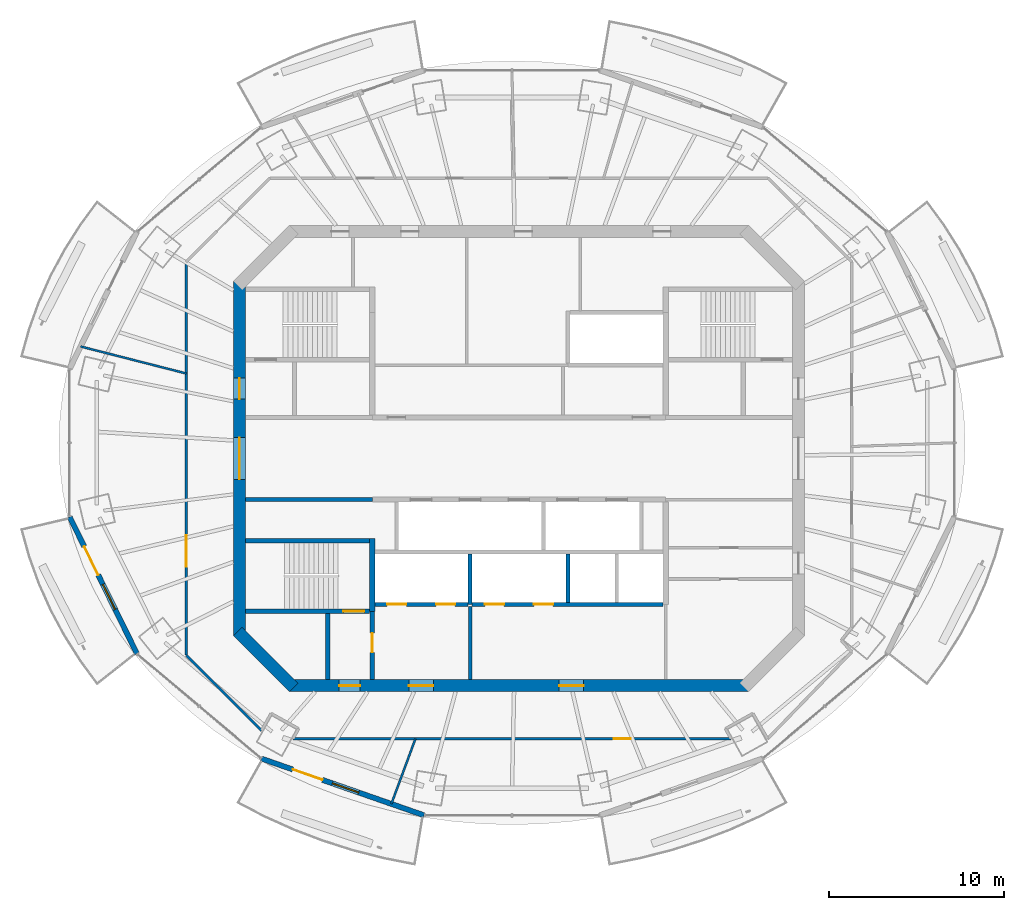
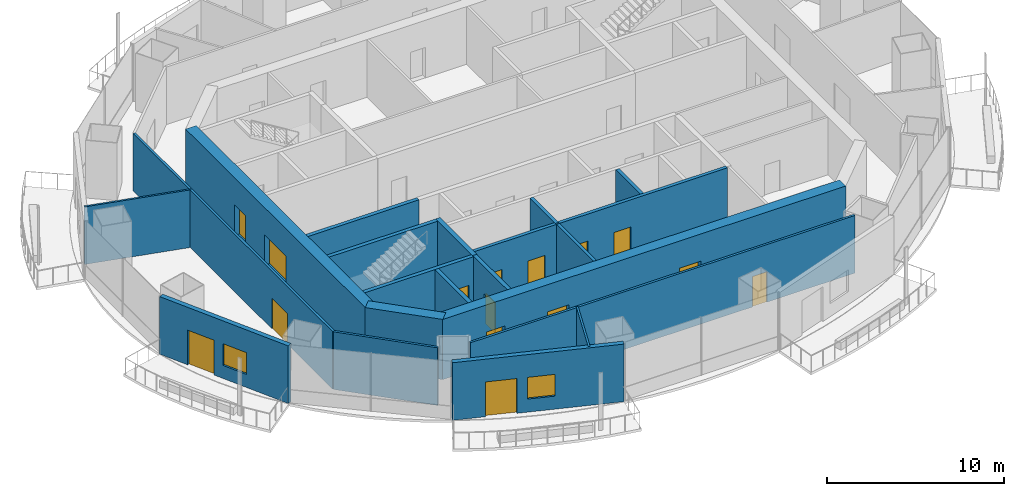
# One storey, part 8 of 16: 21 walls, 15 doors, 2 windows, 17 openings.
"""IFC4 building model written with IfcOpenShell, lengths in metres."""

from ifc_helpers import new_model, si_unit, direction, frame, frame_2d, origin, place, context, subcontext, project, spatial, rectangle, extrude, material, layer, layer_set, type_object, element, fill, save


model = new_model("IFC4")

# Units and contexts
model_context = context("Model", 3, precision=1e-05, world=origin(), true_north=direction((0.0, 1.0)))
body_context = subcontext(model_context, "Body", "Model", "MODEL_VIEW")
ifc_project = project(units=[si_unit("LENGTHUNIT", "METRE"), si_unit("AREAUNIT", "SQUARE_METRE"), si_unit("VOLUMEUNIT", "CUBIC_METRE"), si_unit("PLANEANGLEUNIT", "RADIAN"), si_unit("MASSUNIT", "GRAM", prefix="KILO")], contexts=[model_context])

# Site, building, storey
site_placement = place(None, origin())
site = spatial("IfcSite", under=ifc_project, at=site_placement, CompositionType="ELEMENT")
building_placement = place(site_placement, origin())
building = spatial("IfcBuilding", under=site, at=building_placement, Name="Marenthal Gate Tower", CompositionType="ELEMENT")
storey_placement = place(building_placement, frame((0.0, 0.0, 379.949951171875)))
storey = spatial("IfcBuildingStorey", under=building, at=storey_placement, Name="L86", CompositionType="ELEMENT", Elevation=379.949951171875)

# Wall, openings, doors
ifc_material_1 = material(Name="Concrete 60 MPa", Category="concrete")
ifc_layer_1 = layer(ifc_material_1, 0.699951171875)
ifc_layer_set_1 = layer_set([ifc_layer_1], Name="Core shear wall 700")
wall_type_1 = type_object("IfcWallType", Name="Core shear wall 700", PredefinedType="SHEAR", material=ifc_layer_set_1)
wall_1_placement = place(storey_placement, frame((-16.0, 10.14501953125, -0.179931640625), z_axis=(0.0, 0.0, 1.0), x_axis=(0.0, -1.0, 0.0)))
wall_1 = element("IfcWall", 1, at=wall_1_placement, inside=storey, type_object=wall_type_1, Name="Core wall 06", PredefinedType="SHEAR", context=body_context, shape_type="SweptSolid", body=[
    extrude(rectangle(XDim=20.2900390625, YDim=0.699951171875, at=frame_2d((10.14501953125, 0.0))), origin(), (0.0, 0.0, 1.0), 4.14990234375),
])
opening_1_placement = place(wall_1_placement, frame((8.945068359375, 0.0, 0.179931640625)))
opening_1 = element("IfcOpeningElement", 2, at=opening_1_placement, cuts=wall_1, Name="Opening D003.01", PredefinedType="OPENING", context=body_context, shape_type="SweptSolid", body=[
    extrude(rectangle(XDim=2.39990234375, YDim=2.10009765625, at=frame_2d((1.199951171875, 1.050048828125))), frame((0.0, 0.35986328125, 0.0), z_axis=(0.0, -1.0, 0.0), x_axis=(1.0, 0.0, 0.0)), (0.0, 0.0, 1.0), 0.719970703125),
])
opening_2_placement = place(wall_1_placement, frame((5.544921875, 0.0, 0.179931640625)))
opening_2 = element("IfcOpeningElement", 3, at=opening_2_placement, cuts=wall_1, Name="Opening D001.04", PredefinedType="OPENING", context=body_context, shape_type="SweptSolid", body=[
    extrude(rectangle(XDim=1.199951171875, YDim=2.10009765625, at=frame_2d((0.60009765625, 1.050048828125))), frame((0.0, 0.35986328125, 0.0), z_axis=(0.0, -1.0, 0.0), x_axis=(1.0, 0.0, 0.0)), (0.0, 0.0, 1.0), 0.719970703125),
])
ifc_material_2 = material(Name="Steel fire door", Category="steel")
door_type_1 = type_object("IfcDoorType", Name="Double fire door FD 45 2400 x 2100", OperationType="DOUBLE_DOOR_SINGLE_SWING", PredefinedType="DOOR", material=ifc_material_2)
door_1_placement = place(opening_1_placement, origin())
door_1 = element("IfcDoor", 4, at=door_1_placement, inside=storey, type_object=door_type_1, Name="Door D003.01", OperationType="DOUBLE_DOOR_SINGLE_SWING", OverallHeight=2.10009765625, OverallWidth=2.39990234375, PredefinedType="DOOR", context=body_context, shape_type="SweptSolid", body=[
    extrude(rectangle(XDim=2.39990234375, YDim=2.10009765625, at=frame_2d((1.199951171875, 1.050048828125))), frame((0.0, 0.02490234375, 0.0), z_axis=(0.0, -1.0, 0.0), x_axis=(1.0, 0.0, 0.0)), (0.0, 0.0, 1.0), 0.050048828125),
])
fill(opening_1, door_1)
ifc_material_3 = material(Name="Steel fire door", Category="steel")
door_type_2 = type_object("IfcDoorType", Name="Fire door FD 90 1200 x 2100", OperationType="NOTDEFINED", PredefinedType="DOOR", material=ifc_material_3)
door_2_placement = place(opening_2_placement, origin())
door_2 = element("IfcDoor", 5, at=door_2_placement, inside=storey, type_object=door_type_2, Name="Door D001.04", OperationType="SINGLE_SWING_RIGHT", OverallHeight=2.10009765625, OverallWidth=1.199951171875, PredefinedType="DOOR", context=body_context, shape_type="SweptSolid", body=[
    extrude(rectangle(XDim=1.199951171875, YDim=2.10009765625, at=frame_2d((0.60009765625, 1.050048828125))), frame((0.0, 0.02490234375, 0.0), z_axis=(0.0, -1.0, 0.0), x_axis=(1.0, 0.0, 0.0)), (0.0, 0.0, 1.0), 0.050048828125),
])
fill(opening_2, door_2)

# Wall
wall_2_placement = place(storey_placement, frame((-16.1025390625, -9.8974609375, -0.179931640625), z_axis=(0.0, 0.0, 1.0), x_axis=(0.707106781187, -0.707106781187, 0.0)))
element("IfcWall", 6, at=wall_2_placement, inside=storey, type_object=wall_type_1, Name="Core wall 07", PredefinedType="SHEAR", context=body_context, shape_type="SweptSolid", body=[
    extrude(rectangle(XDim=4.53271484375, YDim=0.699951171875, at=frame_2d((2.266357421875, 0.0))), origin(), (0.0, 0.0, 1.0), 4.14990234375),
])

# Wall, openings, doors
wall_3_placement = place(storey_placement, frame((-13.14501953125, -13.0, -0.179931640625), z_axis=(0.0, 0.0, 1.0), x_axis=(1.0, 0.0, 0.0)))
wall_3 = element("IfcWall", 7, at=wall_3_placement, inside=storey, type_object=wall_type_1, Name="Core wall 08", PredefinedType="SHEAR", context=body_context, shape_type="SweptSolid", body=[
    extrude(rectangle(XDim=26.2900390625, YDim=0.699951171875, at=frame_2d((13.14501953125, 0.0))), origin(), (0.0, 0.0, 1.0), 4.14990234375),
])
opening_3_placement = place(wall_3_placement, frame((2.844970703125, 0.0, 0.179931640625)))
opening_3 = element("IfcOpeningElement", 8, at=opening_3_placement, cuts=wall_3, Name="Opening D001.06", PredefinedType="OPENING", context=body_context, shape_type="SweptSolid", body=[
    extrude(rectangle(XDim=1.199951171875, YDim=2.10009765625, at=frame_2d((0.60009765625, 1.050048828125))), frame((0.0, 0.35986328125, 0.0), z_axis=(0.0, -1.0, 0.0), x_axis=(1.0, 0.0, 0.0)), (0.0, 0.0, 1.0), 0.719970703125),
])
opening_4_placement = place(wall_3_placement, frame((6.844970703125, 0.0, 0.179931640625)))
opening_4 = element("IfcOpeningElement", 9, at=opening_4_placement, cuts=wall_3, Name="Opening D004.01", PredefinedType="OPENING", context=body_context, shape_type="SweptSolid", body=[
    extrude(rectangle(XDim=1.39990234375, YDim=2.10009765625, at=frame_2d((0.699951171875, 1.050048828125))), frame((0.0, 0.35986328125, 0.0), z_axis=(0.0, -1.0, 0.0), x_axis=(1.0, 0.0, 0.0)), (0.0, 0.0, 1.0), 0.719970703125),
])
opening_5_placement = place(wall_3_placement, frame((15.445068359375, 0.0, 0.179931640625)))
opening_5 = element("IfcOpeningElement", 10, at=opening_5_placement, cuts=wall_3, Name="Opening D004.02", PredefinedType="OPENING", context=body_context, shape_type="SweptSolid", body=[
    extrude(rectangle(XDim=1.39990234375, YDim=2.10009765625, at=frame_2d((0.699951171875, 1.050048828125))), frame((0.0, 0.35986328125, 0.0), z_axis=(0.0, -1.0, 0.0), x_axis=(1.0, 0.0, 0.0)), (0.0, 0.0, 1.0), 0.719970703125),
])
ifc_material_4 = material(Name="Steel fire door", Category="steel")
door_type_3 = type_object("IfcDoorType", Name="Fire door FD 45 1400 x 2100", OperationType="NOTDEFINED", PredefinedType="DOOR", material=ifc_material_4)
door_3_placement = place(opening_4_placement, origin())
door_3 = element("IfcDoor", 11, at=door_3_placement, inside=storey, type_object=door_type_3, Name="Door D004.01", OperationType="SINGLE_SWING_RIGHT", OverallHeight=2.10009765625, OverallWidth=1.39990234375, PredefinedType="DOOR", context=body_context, shape_type="SweptSolid", body=[
    extrude(rectangle(XDim=1.39990234375, YDim=2.10009765625, at=frame_2d((0.699951171875, 1.050048828125))), frame((0.0, 0.02490234375, 0.0), z_axis=(0.0, -1.0, 0.0), x_axis=(1.0, 0.0, 0.0)), (0.0, 0.0, 1.0), 0.050048828125),
])
fill(opening_4, door_3)
door_4_placement = place(opening_5_placement, origin())
door_4 = element("IfcDoor", 12, at=door_4_placement, inside=storey, type_object=door_type_3, Name="Door D004.02", OperationType="SINGLE_SWING_RIGHT", OverallHeight=2.10009765625, OverallWidth=1.39990234375, PredefinedType="DOOR", context=body_context, shape_type="SweptSolid", body=[
    extrude(rectangle(XDim=1.39990234375, YDim=2.10009765625, at=frame_2d((0.699951171875, 1.050048828125))), frame((0.0, 0.02490234375, 0.0), z_axis=(0.0, -1.0, 0.0), x_axis=(1.0, 0.0, 0.0)), (0.0, 0.0, 1.0), 0.050048828125),
])
fill(opening_5, door_4)
door_5_placement = place(opening_3_placement, origin())
door_5 = element("IfcDoor", 13, at=door_5_placement, inside=storey, type_object=door_type_2, Name="Door D001.06", OperationType="SINGLE_SWING_RIGHT", OverallHeight=2.10009765625, OverallWidth=1.199951171875, PredefinedType="DOOR", context=body_context, shape_type="SweptSolid", body=[
    extrude(rectangle(XDim=1.199951171875, YDim=2.10009765625, at=frame_2d((0.60009765625, 1.050048828125))), frame((0.0, 0.02490234375, 0.0), z_axis=(0.0, -1.0, 0.0), x_axis=(1.0, 0.0, 0.0)), (0.0, 0.0, 1.0), 0.050048828125),
])
fill(opening_3, door_5)

# Walls
ifc_material_5 = material(Name="Gypsum board on steel studs", Category="steel")
ifc_layer_2 = layer(ifc_material_5, 0.199951171875)
ifc_layer_set_2 = layer_set([ifc_layer_2], Name="Fire lobby wall 200")
wall_type_2 = type_object("IfcWallType", Name="Fire lobby wall 200", PredefinedType="PARTITIONING", material=ifc_layer_set_2)
wall_4_placement = place(storey_placement, frame((-2.800048828125, -12.64990234375, 0.0), z_axis=(0.0, 0.0, 1.0), x_axis=(0.0, 1.0, 0.0)))
element("IfcWall", 14, at=wall_4_placement, inside=storey, type_object=wall_type_2, Name="Fire wall 38", PredefinedType="PARTITIONING", context=body_context, shape_type="SweptSolid", body=[
    extrude(rectangle(XDim=4.18994140625, YDim=0.199951171875, at=frame_2d((2.094970703125, 0.0))), origin(), (0.0, 0.0, 1.0), 3.969970703125),
])
ifc_material_6 = material(Name="Concrete 50 MPa", Category="concrete")
ifc_layer_3 = layer(ifc_material_6, 0.300048828125)
ifc_layer_set_3 = layer_set([ifc_layer_3], Name="Hoistway shear wall 300")
wall_type_3 = type_object("IfcWallType", Name="Hoistway shear wall 300", PredefinedType="SHEAR", material=ifc_layer_set_3)
wall_5_placement = place(storey_placement, frame((-8.39990234375, -8.75, -0.179931640625), z_axis=(0.0, 0.0, 1.0), x_axis=(0.0, 1.0, 0.0)))
element("IfcWall", 15, at=wall_5_placement, inside=storey, type_object=wall_type_3, Name="Hoistway wall 33", PredefinedType="SHEAR", context=body_context, shape_type="SweptSolid", body=[
    extrude(rectangle(XDim=4.175048828125, YDim=0.300048828125, at=frame_2d((2.08740234375, 0.0))), origin(), (0.0, 0.0, 1.0), 4.14990234375),
])

# Wall, openings, doors
ifc_material_7 = material(Name="Concrete 40 MPa", Category="concrete")
ifc_layer_4 = layer(ifc_material_7, 0.219970703125)
ifc_layer_set_4 = layer_set([ifc_layer_4], Name="Hoistway wall 220")
wall_type_4 = type_object("IfcWallType", Name="Hoistway wall 220", PredefinedType="STANDARD", material=ifc_layer_set_4)
wall_6_placement = place(storey_placement, frame((-8.25, -8.35009765625, 0.0), z_axis=(0.0, 0.0, 1.0), x_axis=(1.0, 0.0, 0.0)))
wall_6 = element("IfcWall", 16, at=wall_6_placement, inside=storey, type_object=wall_type_4, Name="Hoistway wall 10", PredefinedType="STANDARD", context=body_context, shape_type="SweptSolid", body=[
    extrude(rectangle(XDim=5.340087890625, YDim=0.219970703125, at=frame_2d((2.669921875, 0.0))), origin(), (0.0, 0.0, 1.0), 3.969970703125),
])
opening_6_placement = place(wall_6_placement, frame((0.699951171875, 0.0, 0.0)))
opening_6 = element("IfcOpeningElement", 17, at=opening_6_placement, cuts=wall_6, Name="Opening LD-LF1", PredefinedType="OPENING", context=body_context, shape_type="SweptSolid", body=[
    extrude(rectangle(XDim=1.10009765625, YDim=2.10009765625, at=frame_2d((0.550048828125, 1.050048828125))), frame((0.0, 0.1201171875, 0.0), z_axis=(0.0, -1.0, 0.0), x_axis=(1.0, 0.0, 0.0)), (0.0, 0.0, 1.0), 0.239990234375),
])
opening_7_placement = place(wall_6_placement, frame((3.5, 0.0, 0.0)))
opening_7 = element("IfcOpeningElement", 18, at=opening_7_placement, cuts=wall_6, Name="Opening LD-LF2", PredefinedType="OPENING", context=body_context, shape_type="SweptSolid", body=[
    extrude(rectangle(XDim=1.10009765625, YDim=2.10009765625, at=frame_2d((0.550048828125, 1.050048828125))), frame((0.0, 0.1201171875, 0.0), z_axis=(0.0, -1.0, 0.0), x_axis=(1.0, 0.0, 0.0)), (0.0, 0.0, 1.0), 0.239990234375),
])
ifc_material_8 = material(Name="Stainless steel sliding door", Category="steel")
door_type_4 = type_object("IfcDoorType", Name="Lift landing door FD 90 1100 x 2100", OperationType="DOUBLE_DOOR_SLIDING", PredefinedType="DOOR", material=ifc_material_8)
door_6_placement = place(opening_6_placement, origin())
door_6 = element("IfcDoor", 19, at=door_6_placement, inside=storey, type_object=door_type_4, Name="Lift landing door LF1", OperationType="DOUBLE_DOOR_SLIDING", OverallHeight=2.10009765625, OverallWidth=1.10009765625, PredefinedType="DOOR", context=body_context, shape_type="SweptSolid", body=[
    extrude(rectangle(XDim=1.10009765625, YDim=2.10009765625, at=frame_2d((0.550048828125, 1.050048828125))), frame((0.0, 0.02490234375, 0.0), z_axis=(0.0, -1.0, 0.0), x_axis=(1.0, 0.0, 0.0)), (0.0, 0.0, 1.0), 0.050048828125),
])
fill(opening_6, door_6)
door_7_placement = place(opening_7_placement, origin())
door_7 = element("IfcDoor", 20, at=door_7_placement, inside=storey, type_object=door_type_4, Name="Lift landing door LF2", OperationType="DOUBLE_DOOR_SLIDING", OverallHeight=2.10009765625, OverallWidth=1.10009765625, PredefinedType="DOOR", context=body_context, shape_type="SweptSolid", body=[
    extrude(rectangle(XDim=1.10009765625, YDim=2.10009765625, at=frame_2d((0.550048828125, 1.050048828125))), frame((0.0, 0.02490234375, 0.0), z_axis=(0.0, -1.0, 0.0), x_axis=(1.0, 0.0, 0.0)), (0.0, 0.0, 1.0), 0.050048828125),
])
fill(opening_7, door_7)

wall_7_placement = place(storey_placement, frame((-2.68994140625, -8.35009765625, 0.0), z_axis=(0.0, 0.0, 1.0), x_axis=(1.0, 0.0, 0.0)))
wall_7 = element("IfcWall", 21, at=wall_7_placement, inside=storey, type_object=wall_type_4, Name="Hoistway wall 11", PredefinedType="STANDARD", context=body_context, shape_type="SweptSolid", body=[
    extrude(rectangle(XDim=10.93994140625, YDim=0.219970703125, at=frame_2d((5.469970703125, 0.0))), origin(), (0.0, 0.0, 1.0), 3.969970703125),
])
opening_8_placement = place(wall_7_placement, frame((0.739990234375, 0.0, 0.0)))
opening_8 = element("IfcOpeningElement", 22, at=opening_8_placement, cuts=wall_7, Name="Opening LD-SV1", PredefinedType="OPENING", context=body_context, shape_type="SweptSolid", body=[
    extrude(rectangle(XDim=1.10009765625, YDim=2.10009765625, at=frame_2d((0.550048828125, 1.050048828125))), frame((0.0, 0.1201171875, 0.0), z_axis=(0.0, -1.0, 0.0), x_axis=(1.0, 0.0, 0.0)), (0.0, 0.0, 1.0), 0.239990234375),
])
opening_9_placement = place(wall_7_placement, frame((3.5400390625, 0.0, 0.0)))
opening_9 = element("IfcOpeningElement", 23, at=opening_9_placement, cuts=wall_7, Name="Opening LD-SV2", PredefinedType="OPENING", context=body_context, shape_type="SweptSolid", body=[
    extrude(rectangle(XDim=1.10009765625, YDim=2.10009765625, at=frame_2d((0.550048828125, 1.050048828125))), frame((0.0, 0.1201171875, 0.0), z_axis=(0.0, -1.0, 0.0), x_axis=(1.0, 0.0, 0.0)), (0.0, 0.0, 1.0), 0.239990234375),
])
door_8_placement = place(opening_8_placement, origin())
door_8 = element("IfcDoor", 24, at=door_8_placement, inside=storey, type_object=door_type_4, Name="Lift landing door SV1", OperationType="DOUBLE_DOOR_SLIDING", OverallHeight=2.10009765625, OverallWidth=1.10009765625, PredefinedType="DOOR", context=body_context, shape_type="SweptSolid", body=[
    extrude(rectangle(XDim=1.10009765625, YDim=2.10009765625, at=frame_2d((0.550048828125, 1.050048828125))), frame((0.0, 0.02490234375, 0.0), z_axis=(0.0, -1.0, 0.0), x_axis=(1.0, 0.0, 0.0)), (0.0, 0.0, 1.0), 0.050048828125),
])
fill(opening_8, door_8)
door_9_placement = place(opening_9_placement, origin())
door_9 = element("IfcDoor", 25, at=door_9_placement, inside=storey, type_object=door_type_4, Name="Lift landing door SV2", OperationType="DOUBLE_DOOR_SLIDING", OverallHeight=2.10009765625, OverallWidth=1.10009765625, PredefinedType="DOOR", context=body_context, shape_type="SweptSolid", body=[
    extrude(rectangle(XDim=1.10009765625, YDim=2.10009765625, at=frame_2d((0.550048828125, 1.050048828125))), frame((0.0, 0.02490234375, 0.0), z_axis=(0.0, -1.0, 0.0), x_axis=(1.0, 0.0, 0.0)), (0.0, 0.0, 1.0), 0.050048828125),
])
fill(opening_9, door_9)

# Walls
wall_8_placement = place(storey_placement, frame((-2.800048828125, -8.35009765625, 0.0), z_axis=(0.0, 0.0, 1.0), x_axis=(0.0, 1.0, 0.0)))
element("IfcWall", 26, at=wall_8_placement, inside=storey, type_object=wall_type_4, Name="Hoistway wall 39", PredefinedType="STANDARD", context=body_context, shape_type="SweptSolid", body=[
    extrude(rectangle(XDim=2.89013671875, YDim=0.219970703125, at=frame_2d((1.445068359375, 0.0))), origin(), (0.0, 0.0, 1.0), 3.969970703125),
])
wall_9_placement = place(storey_placement, frame((2.800048828125, -8.239990234375, 0.0), z_axis=(0.0, 0.0, 1.0), x_axis=(0.0, 1.0, 0.0)))
element("IfcWall", 27, at=wall_9_placement, inside=storey, type_object=wall_type_4, Name="Hoistway wall 42", PredefinedType="STANDARD", context=body_context, shape_type="SweptSolid", body=[
    extrude(rectangle(XDim=2.780029296875, YDim=0.219970703125, at=frame_2d((1.39013671875, 0.0))), origin(), (0.0, 0.0, 1.0), 3.969970703125),
])
ifc_material_9 = material(Name="Gypsum board on steel studs", Category="steel")
ifc_layer_5 = layer(ifc_material_9, 0.1201171875)
ifc_layer_set_5 = layer_set([ifc_layer_5], Name="Partition 120")
wall_type_5 = type_object("IfcWallType", Name="Partition 120", PredefinedType="PARTITIONING", material=ifc_layer_set_5)
wall_10_placement = place(storey_placement, frame((-19.050048828125, 4.868408203125, 0.0), z_axis=(0.0, 0.0, 1.0), x_axis=(-0.968871434857, 0.247564421351, 0.0)))
element("IfcWall", 28, at=wall_10_placement, inside=storey, type_object=wall_type_5, Name="Partition wall 53", PredefinedType="PARTITIONING", context=body_context, shape_type="SweptSolid", body=[
    extrude(rectangle(XDim=6.244384765625, YDim=0.1201171875, at=frame_2d((3.1220703125, 0.0))), origin(), (0.0, 0.0, 1.0), 3.969970703125),
])
wall_11_placement = place(storey_placement, frame((-5.929931640625, -16.050048828125, 0.0), z_axis=(0.0, 0.0, 1.0), x_axis=(-0.346585471855, -0.938018395715, 0.0)))
element("IfcWall", 29, at=wall_11_placement, inside=storey, type_object=wall_type_5, Name="Partition wall 62", PredefinedType="PARTITIONING", context=body_context, shape_type="SweptSolid", body=[
    extrude(rectangle(XDim=3.971435546875, YDim=0.1201171875, at=frame_2d((1.98583984375, 0.0))), origin(), (0.0, 0.0, 1.0), 3.969970703125),
])

# Wall, opening, door
ifc_material_10 = material(Name="Gypsum board on steel studs", Category="steel")
ifc_layer_6 = layer(ifc_material_10, 0.14990234375)
ifc_layer_set_6 = layer_set([ifc_layer_6], Name="Partition 150")
wall_type_6 = type_object("IfcWallType", Name="Partition 150", PredefinedType="PARTITIONING", material=ifc_layer_set_6)
wall_12_placement = place(storey_placement, frame((-19.050048828125, -11.263427734375, 0.0), z_axis=(0.0, 0.0, 1.0), x_axis=(0.0, 1.0, 0.0)))
wall_12 = element("IfcWall", 30, at=wall_12_placement, inside=storey, type_object=wall_type_6, Name="Partition wall 52", PredefinedType="PARTITIONING", context=body_context, shape_type="SweptSolid", body=[
    extrude(rectangle(XDim=22.52685546875, YDim=0.14990234375, at=frame_2d((11.263427734375, 0.0))), origin(), (0.0, 0.0, 1.0), 3.969970703125),
])
opening_10_placement = place(wall_12_placement, frame((5.06494140625, 0.0, 0.0)))
opening_10 = element("IfcOpeningElement", 31, at=opening_10_placement, cuts=wall_12, Name="Opening D014.03", PredefinedType="OPENING", context=body_context, shape_type="SweptSolid", body=[
    extrude(rectangle(XDim=1.800048828125, YDim=2.10009765625, at=frame_2d((0.89990234375, 1.050048828125))), frame((0.0, 0.0849609375, 0.0), z_axis=(0.0, -1.0, 0.0), x_axis=(1.0, 0.0, 0.0)), (0.0, 0.0, 1.0), 0.169921875),
])
ifc_material_11 = material(Name="Timber door", Category="wood")
door_type_5 = type_object("IfcDoorType", Name="Double door 1800 x 2100", OperationType="DOUBLE_DOOR_SINGLE_SWING", PredefinedType="DOOR", material=ifc_material_11)
door_10_placement = place(opening_10_placement, origin())
door_10 = element("IfcDoor", 32, at=door_10_placement, inside=storey, type_object=door_type_5, Name="Door D014.03", OperationType="DOUBLE_DOOR_SINGLE_SWING", OverallHeight=2.10009765625, OverallWidth=1.800048828125, PredefinedType="DOOR", context=body_context, shape_type="SweptSolid", body=[
    extrude(rectangle(XDim=1.800048828125, YDim=2.10009765625, at=frame_2d((0.89990234375, 1.050048828125))), frame((0.0, 0.02490234375, 0.0), z_axis=(0.0, -1.0, 0.0), x_axis=(1.0, 0.0, 0.0)), (0.0, 0.0, 1.0), 0.050048828125),
])
fill(opening_10, door_10)

# Wall
wall_13_placement = place(storey_placement, frame((-14.73681640625, -15.57666015625, 0.0), z_axis=(0.0, 0.0, 1.0), x_axis=(-0.707106781187, 0.707106781187, 0.0)))
element("IfcWall", 33, at=wall_13_placement, inside=storey, type_object=wall_type_6, Name="Partition wall 55", PredefinedType="PARTITIONING", context=body_context, shape_type="SweptSolid", body=[
    extrude(rectangle(XDim=6.099853515625, YDim=0.14990234375, at=frame_2d((3.0498046875, 0.0))), origin(), (0.0, 0.0, 1.0), 3.969970703125),
])

# Wall, opening, door
wall_14_placement = place(storey_placement, frame((12.140380859375, -16.050048828125, 0.0), z_axis=(0.0, 0.0, 1.0), x_axis=(-1.0, 0.0, 0.0)))
wall_14 = element("IfcWall", 34, at=wall_14_placement, inside=storey, type_object=wall_type_6, Name="Partition wall 66", PredefinedType="PARTITIONING", context=body_context, shape_type="SweptSolid", body=[
    extrude(rectangle(XDim=25.080810546875, YDim=0.14990234375, at=frame_2d((12.54052734375, 0.0))), origin(), (0.0, 0.0, 1.0), 3.969970703125),
])
opening_11_placement = place(wall_14_placement, frame((5.751953125, 0.0, 0.0)))
opening_11 = element("IfcOpeningElement", 35, at=opening_11_placement, cuts=wall_14, Name="Opening D016.05", PredefinedType="OPENING", context=body_context, shape_type="SweptSolid", body=[
    extrude(rectangle(XDim=0.949951171875, YDim=2.10009765625, at=frame_2d((0.47509765625, 1.050048828125))), frame((0.0, 0.0849609375, 0.0), z_axis=(0.0, -1.0, 0.0), x_axis=(1.0, 0.0, 0.0)), (0.0, 0.0, 1.0), 0.169921875),
])
ifc_material_12 = material(Name="Timber door", Category="wood")
door_type_6 = type_object("IfcDoorType", Name="Door 950 x 2100", OperationType="NOTDEFINED", PredefinedType="DOOR", material=ifc_material_12)
door_11_placement = place(opening_11_placement, frame((0.949951171875, 0.0, 0.0), z_axis=(0.0, 0.0, 1.0), x_axis=(-1.0, 0.0, 0.0)))
door_11 = element("IfcDoor", 36, at=door_11_placement, inside=storey, type_object=door_type_6, Name="Door D016.05", OperationType="SINGLE_SWING_LEFT", OverallHeight=2.10009765625, OverallWidth=0.949951171875, PredefinedType="DOOR", context=body_context, shape_type="SweptSolid", body=[
    extrude(rectangle(XDim=0.949951171875, YDim=2.10009765625, at=frame_2d((0.47509765625, 1.050048828125))), frame((0.0, 0.02490234375, 0.0), z_axis=(0.0, -1.0, 0.0), x_axis=(1.0, 0.0, 0.0)), (0.0, 0.0, 1.0), 0.050048828125),
])
fill(opening_11, door_11)

# Walls
ifc_material_13 = material(Name="Concrete 40 MPa", Category="concrete")
ifc_layer_7 = layer(ifc_material_13, 0.25)
ifc_layer_set_7 = layer_set([ifc_layer_7], Name="Stair enclosure wall 250")
wall_type_7 = type_object("IfcWallType", Name="Stair enclosure wall 250", PredefinedType="STANDARD", material=ifc_layer_set_7)
wall_15_placement = place(storey_placement, frame((-15.64990234375, -2.35009765625, 0.0), z_axis=(0.0, 0.0, 1.0), x_axis=(1.0, 0.0, 0.0)))
element("IfcWall", 37, at=wall_15_placement, inside=storey, type_object=wall_type_7, Name="Stair wall 16", PredefinedType="STANDARD", context=body_context, shape_type="SweptSolid", body=[
    extrude(rectangle(XDim=7.25, YDim=0.25, at=frame_2d((3.625, 0.0))), origin(), (0.0, 0.0, 1.0), 3.969970703125),
])
wall_16_placement = place(storey_placement, frame((-10.949951171875, -12.64990234375, 0.0), z_axis=(0.0, 0.0, 1.0), x_axis=(0.0, 1.0, 0.0)))
element("IfcWall", 38, at=wall_16_placement, inside=storey, type_object=wall_type_7, Name="Stair wall 30", PredefinedType="STANDARD", context=body_context, shape_type="SweptSolid", body=[
    extrude(rectangle(XDim=3.77490234375, YDim=0.25, at=frame_2d((1.887451171875, 0.0))), origin(), (0.0, 0.0, 1.0), 3.969970703125),
])

# Wall, opening, door
wall_17_placement = place(storey_placement, frame((-8.39990234375, -12.64990234375, 0.0), z_axis=(0.0, 0.0, 1.0), x_axis=(0.0, 1.0, 0.0)))
wall_17 = element("IfcWall", 39, at=wall_17_placement, inside=storey, type_object=wall_type_7, Name="Stair wall 32", PredefinedType="STANDARD", context=body_context, shape_type="SweptSolid", body=[
    extrude(rectangle(XDim=3.89990234375, YDim=0.25, at=frame_2d((1.949951171875, 0.0))), origin(), (0.0, 0.0, 1.0), 3.969970703125),
])
opening_12_placement = place(wall_17_placement, frame((1.550048828125, 0.0, 0.0)))
opening_12 = element("IfcOpeningElement", 40, at=opening_12_placement, cuts=wall_17, Name="Opening D002.01", PredefinedType="OPENING", context=body_context, shape_type="SweptSolid", body=[
    extrude(rectangle(XDim=1.10009765625, YDim=2.10009765625, at=frame_2d((0.550048828125, 1.050048828125))), frame((0.0, 0.135009765625, 0.0), z_axis=(0.0, -1.0, 0.0), x_axis=(1.0, 0.0, 0.0)), (0.0, 0.0, 1.0), 0.27001953125),
])
ifc_material_14 = material(Name="Steel fire door", Category="steel")
door_type_7 = type_object("IfcDoorType", Name="Fire door FD 90 1100 x 2100", OperationType="NOTDEFINED", PredefinedType="DOOR", material=ifc_material_14)
door_12_placement = place(opening_12_placement, origin())
door_12 = element("IfcDoor", 41, at=door_12_placement, inside=storey, type_object=door_type_7, Name="Door D002.01", OperationType="SINGLE_SWING_RIGHT", OverallHeight=2.10009765625, OverallWidth=1.10009765625, PredefinedType="DOOR", context=body_context, shape_type="SweptSolid", body=[
    extrude(rectangle(XDim=1.10009765625, YDim=2.10009765625, at=frame_2d((0.550048828125, 1.050048828125))), frame((0.0, 0.02490234375, 0.0), z_axis=(0.0, -1.0, 0.0), x_axis=(1.0, 0.0, 0.0)), (0.0, 0.0, 1.0), 0.050048828125),
])
fill(opening_12, door_12)

ifc_material_15 = material(Name="Concrete 50 MPa", Category="concrete")
ifc_layer_8 = layer(ifc_material_15, 0.25)
ifc_layer_set_8 = layer_set([ifc_layer_8], Name="Stair shear wall 250")
wall_type_8 = type_object("IfcWallType", Name="Stair shear wall 250", PredefinedType="SHEAR", material=ifc_layer_set_8)
wall_18_placement = place(storey_placement, frame((-15.64990234375, -8.75, -0.179931640625), z_axis=(0.0, 0.0, 1.0), x_axis=(1.0, 0.0, 0.0)))
wall_18 = element("IfcWall", 42, at=wall_18_placement, inside=storey, type_object=wall_type_8, Name="Stair wall 09", PredefinedType="SHEAR", context=body_context, shape_type="SweptSolid", body=[
    extrude(rectangle(XDim=7.099853515625, YDim=0.25, at=frame_2d((3.5498046875, 0.0))), origin(), (0.0, 0.0, 1.0), 4.14990234375),
])
opening_13_placement = place(wall_18_placement, frame((5.60009765625, 0.0, 0.179931640625)))
opening_13 = element("IfcOpeningElement", 43, at=opening_13_placement, cuts=wall_18, Name="Opening D001.03", PredefinedType="OPENING", context=body_context, shape_type="SweptSolid", body=[
    extrude(rectangle(XDim=1.199951171875, YDim=2.10009765625, at=frame_2d((0.60009765625, 1.050048828125))), frame((0.0, 0.135009765625, 0.0), z_axis=(0.0, -1.0, 0.0), x_axis=(1.0, 0.0, 0.0)), (0.0, 0.0, 1.0), 0.27001953125),
])
door_13_placement = place(opening_13_placement, origin())
door_13 = element("IfcDoor", 44, at=door_13_placement, inside=storey, type_object=door_type_2, Name="Door D001.03", OperationType="SINGLE_SWING_RIGHT", OverallHeight=2.10009765625, OverallWidth=1.199951171875, PredefinedType="DOOR", context=body_context, shape_type="SweptSolid", body=[
    extrude(rectangle(XDim=1.199951171875, YDim=2.10009765625, at=frame_2d((0.60009765625, 1.050048828125))), frame((0.0, 0.02490234375, 0.0), z_axis=(0.0, -1.0, 0.0), x_axis=(1.0, 0.0, 0.0)), (0.0, 0.0, 1.0), 0.050048828125),
])
fill(opening_13, door_13)

# Wall
wall_19_placement = place(storey_placement, frame((-15.64990234375, -4.699951171875, -0.179931640625), z_axis=(0.0, 0.0, 1.0), x_axis=(1.0, 0.0, 0.0)))
element("IfcWall", 45, at=wall_19_placement, inside=storey, type_object=wall_type_8, Name="Stair wall 15", PredefinedType="SHEAR", context=body_context, shape_type="SweptSolid", body=[
    extrude(rectangle(XDim=7.099853515625, YDim=0.25, at=frame_2d((3.5498046875, 0.0))), origin(), (0.0, 0.0, 1.0), 4.14990234375),
])

# Wall, openings, door, window
ifc_material_16 = material(Name="Terracotta cladding on insulated concrete-block backing", Category="masonry")
ifc_layer_9 = layer(ifc_material_16, 0.300048828125)
ifc_layer_set_9 = layer_set([ifc_layer_9], Name="Terracotta facade wall 300")
wall_type_9 = type_object("IfcWallType", Name="Terracotta facade wall 300", PredefinedType="SOLIDWALL", material=ifc_layer_set_9)
wall_20_placement = place(storey_placement, frame((-25.725830078125, -3.34228515625, 0.0), z_axis=(0.0, 0.0, 1.0), x_axis=(0.44137978975, -0.897320389382, 0.0)))
wall_20 = element("IfcWall", 46, at=wall_20_placement, inside=storey, type_object=wall_type_9, Name="Terracotta facade wall L86 bay 9", PredefinedType="SOLIDWALL", context=body_context, shape_type="SweptSolid", body=[
    extrude(rectangle(XDim=8.735595703125, YDim=0.300048828125, at=frame_2d((4.36767578125, 0.0))), origin(), (0.0, 0.0, 1.0), 3.969970703125),
])
opening_14_placement = place(wall_20_placement, frame((1.89990234375, 0.0, 0.0)))
opening_14 = element("IfcOpeningElement", 47, at=opening_14_placement, cuts=wall_20, Name="Opening BD-L86-09", PredefinedType="OPENING", context=body_context, shape_type="SweptSolid", body=[
    extrude(rectangle(XDim=1.800048828125, YDim=2.39990234375, at=frame_2d((0.89990234375, 1.199951171875))), frame((0.0, 0.16015625, 0.0), z_axis=(0.0, -1.0, 0.0), x_axis=(1.0, 0.0, 0.0)), (0.0, 0.0, 1.0), 0.320068359375),
])
opening_15_placement = place(wall_20_placement, frame((4.300048828125, 0.0, 0.89990234375)))
opening_15 = element("IfcOpeningElement", 48, at=opening_15_placement, cuts=wall_20, Name="Opening WN3-L86-09", PredefinedType="OPENING", context=body_context, shape_type="SweptSolid", body=[
    extrude(rectangle(XDim=1.60009765625, YDim=1.5, at=frame_2d((0.800048828125, 0.75))), frame((0.0, 0.16015625, 0.0), z_axis=(0.0, -1.0, 0.0), x_axis=(1.0, 0.0, 0.0)), (0.0, 0.0, 1.0), 0.320068359375),
])
ifc_material_17 = material(Name="Aluminium and glass", Category="aluminium")
door_type_8 = type_object("IfcDoorType", Name="Balcony door 1800x2400", OperationType="DOUBLE_DOOR_SINGLE_SWING", PredefinedType="DOOR", material=ifc_material_17)
door_14_placement = place(opening_14_placement, origin())
door_14 = element("IfcDoor", 49, at=door_14_placement, inside=storey, type_object=door_type_8, Name="Balcony door L86 bay 9", OperationType="SINGLE_SWING_LEFT", OverallHeight=2.39990234375, OverallWidth=1.800048828125, PredefinedType="DOOR", context=body_context, shape_type="SweptSolid", body=[
    extrude(rectangle(XDim=1.800048828125, YDim=2.39990234375, at=frame_2d((0.89990234375, 1.199951171875))), frame((0.0, 0.02490234375, 0.0), z_axis=(0.0, -1.0, 0.0), x_axis=(1.0, 0.0, 0.0)), (0.0, 0.0, 1.0), 0.050048828125),
])
fill(opening_14, door_14)
ifc_material_18 = material(Name="Aluminium and glass", Category="aluminium")
window_type = type_object("IfcWindowType", Name="Window 1600x1500", PartitioningType="DOUBLE_PANEL_VERTICAL", PredefinedType="WINDOW", material=ifc_material_18)
window_1_placement = place(opening_15_placement, origin())
window_1 = element("IfcWindow", 50, at=window_1_placement, inside=storey, type_object=window_type, Name="Window L86 bay 9", OverallHeight=1.5, OverallWidth=1.60009765625, PartitioningType="SINGLE_PANEL", PredefinedType="WINDOW", context=body_context, shape_type="SweptSolid", body=[
    extrude(rectangle(XDim=1.60009765625, YDim=1.5, at=frame_2d((0.800048828125, 0.75))), frame((0.0, 0.030029296875, 0.0), z_axis=(0.0, -1.0, 0.0), x_axis=(1.0, 0.0, 0.0)), (0.0, 0.0, 1.0), 0.06005859375),
])
fill(opening_15, window_1)

wall_21_placement = place(storey_placement, frame((-14.745849609375, -17.180419921875, 0.0), z_axis=(0.0, 0.0, 1.0), x_axis=(0.944206092036, -0.329355212138, 0.0)))
wall_21 = element("IfcWall", 51, at=wall_21_placement, inside=storey, type_object=wall_type_9, Name="Terracotta facade wall L86 bay 11", PredefinedType="SOLIDWALL", context=body_context, shape_type="SweptSolid", body=[
    extrude(rectangle(XDim=9.858154296875, YDim=0.300048828125, at=frame_2d((4.92919921875, 0.0))), origin(), (0.0, 0.0, 1.0), 3.969970703125),
])
opening_16_placement = place(wall_21_placement, frame((1.89990234375, 0.0, 0.0)))
opening_16 = element("IfcOpeningElement", 52, at=opening_16_placement, cuts=wall_21, Name="Opening BD-L86-11", PredefinedType="OPENING", context=body_context, shape_type="SweptSolid", body=[
    extrude(rectangle(XDim=1.800048828125, YDim=2.39990234375, at=frame_2d((0.89990234375, 1.199951171875))), frame((0.0, 0.16015625, 0.0), z_axis=(0.0, -1.0, 0.0), x_axis=(1.0, 0.0, 0.0)), (0.0, 0.0, 1.0), 0.320068359375),
])
opening_17_placement = place(wall_21_placement, frame((4.300048828125, 0.0, 0.89990234375)))
opening_17 = element("IfcOpeningElement", 53, at=opening_17_placement, cuts=wall_21, Name="Opening WN3-L86-11", PredefinedType="OPENING", context=body_context, shape_type="SweptSolid", body=[
    extrude(rectangle(XDim=1.60009765625, YDim=1.5, at=frame_2d((0.800048828125, 0.75))), frame((0.0, 0.16015625, 0.0), z_axis=(0.0, -1.0, 0.0), x_axis=(1.0, 0.0, 0.0)), (0.0, 0.0, 1.0), 0.320068359375),
])
door_15_placement = place(opening_16_placement, origin())
door_15 = element("IfcDoor", 54, at=door_15_placement, inside=storey, type_object=door_type_8, Name="Balcony door L86 bay 11", OperationType="SINGLE_SWING_LEFT", OverallHeight=2.39990234375, OverallWidth=1.800048828125, PredefinedType="DOOR", context=body_context, shape_type="SweptSolid", body=[
    extrude(rectangle(XDim=1.800048828125, YDim=2.39990234375, at=frame_2d((0.89990234375, 1.199951171875))), frame((0.0, 0.02490234375, 0.0), z_axis=(0.0, -1.0, 0.0), x_axis=(1.0, 0.0, 0.0)), (0.0, 0.0, 1.0), 0.050048828125),
])
fill(opening_16, door_15)
window_2_placement = place(opening_17_placement, origin())
window_2 = element("IfcWindow", 55, at=window_2_placement, inside=storey, type_object=window_type, Name="Window L86 bay 11", OverallHeight=1.5, OverallWidth=1.60009765625, PartitioningType="SINGLE_PANEL", PredefinedType="WINDOW", context=body_context, shape_type="SweptSolid", body=[
    extrude(rectangle(XDim=1.60009765625, YDim=1.5, at=frame_2d((0.800048828125, 0.75))), frame((0.0, 0.030029296875, 0.0), z_axis=(0.0, -1.0, 0.0), x_axis=(1.0, 0.0, 0.0)), (0.0, 0.0, 1.0), 0.06005859375),
])
fill(opening_17, window_2)

save(model, "model.ifc")
